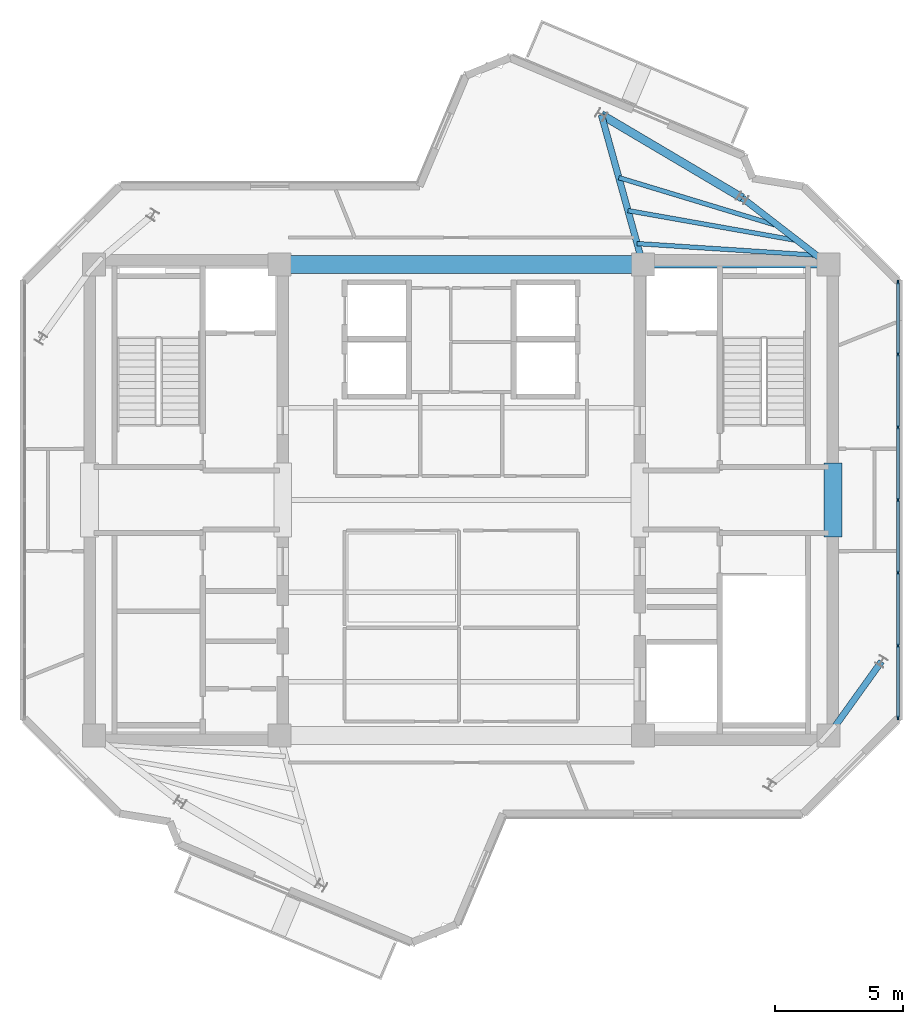
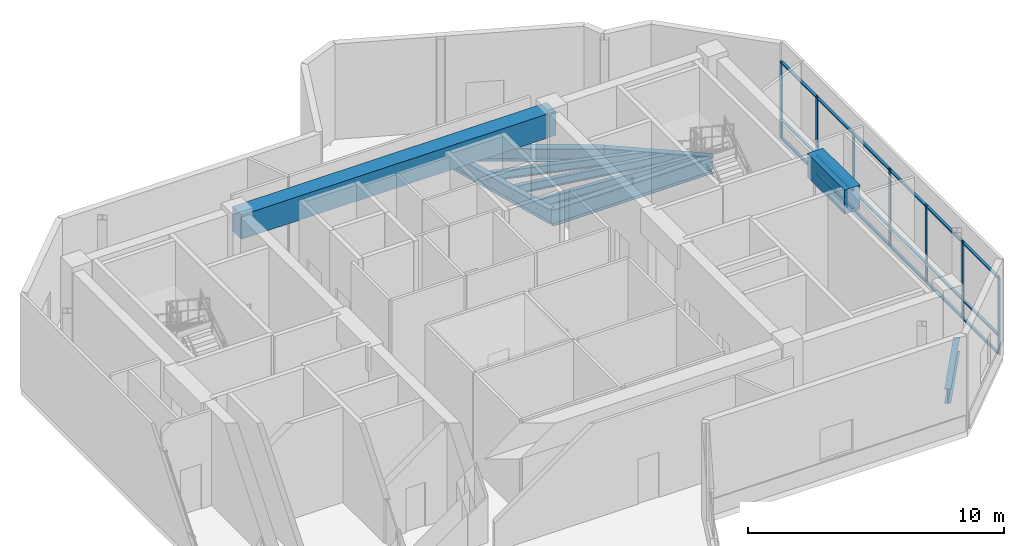
# One storey, part 4 of 11: 25 members, 10 beams, 1 element without a shape of its own.
"""IFC4 building model written with IfcOpenShell, lengths in metres."""

from ifc_helpers import new_model, si_unit, direction, frame, origin, origin_2d, place, context, subcontext, project, spatial, rectangle, i_section, extrude, source, transform, mapped, material, layer, layer_set, material_profile, profile_set, type_object, element, aggregate, save


model = new_model("IFC4")

# Units and contexts
model_context = context("Model", 3, precision=1e-05, world=origin(), true_north=direction((0.0, 1.0)))
body_context = subcontext(model_context, "Body", "Model", "MODEL_VIEW")
ifc_project = project(units=[si_unit("LENGTHUNIT", "METRE"), si_unit("AREAUNIT", "SQUARE_METRE"), si_unit("VOLUMEUNIT", "CUBIC_METRE"), si_unit("PLANEANGLEUNIT", "RADIAN"), si_unit("MASSUNIT", "GRAM", prefix="KILO")], contexts=[model_context])

# Site, building, storey
site_placement = place(None, origin())
site = spatial("IfcSite", under=ifc_project, at=site_placement, CompositionType="ELEMENT")
building_placement = place(site_placement, origin())
building = spatial("IfcBuilding", under=site, at=building_placement, Name="Zahravan Cultural Tower", CompositionType="ELEMENT")
storey_placement = place(building_placement, frame((0.0, 0.0, 365.85009765625)))
storey = spatial("IfcBuildingStorey", under=building, at=storey_placement, Name="L89", CompositionType="ELEMENT", Elevation=365.85009765625)

# Beams
ifc_material_1 = material(Name="Concrete C50/60", Category="concrete")
ifc_material_profile_1 = material_profile(ifc_material_1, rectangle(XDim=0.699951171875, YDim=1.14990234375, at=origin_2d()), Name="RC700X1150")
ifc_profile_set_1 = profile_set([ifc_material_profile_1], Name="Concrete C50/60")
beam_type_1 = type_object("IfcBeamType", Name="BM-LN-RC700X1150", PredefinedType="LINTEL", material=ifc_profile_set_1)
shared_shape_1 = source(origin(), body_context, "Body", "SweptSolid", [
    extrude(rectangle(XDim=0.699951171875, YDim=1.14990234375, at=origin_2d()), origin(), (0.0, 0.0, 1.0), 14.2001953125),
])
beam_1_placement = place(storey_placement, frame((28.89990234375, 36.199951171875, 3.974853515625), z_axis=(1.0, 0.0, 0.0), x_axis=(0.0, 1.0, 0.0)))
element("IfcBeam", 1, at=beam_1_placement, inside=storey, type_object=beam_type_1, Name="L89 Beam LN-L89-N", PredefinedType="LINTEL", context=body_context, shape_type="MappedRepresentation", body=[
    mapped(shared_shape_1, transform((0.0, 0.0, 0.0), x_axis=(1.0, 0.0, 0.0), y_axis=(0.0, 1.0, 0.0), z_axis=(0.0, 0.0, 1.0), scale=1.0)),
])
shared_shape_2 = source(origin(), body_context, "Body", "SweptSolid", [
    extrude(rectangle(XDim=0.699951171875, YDim=1.14990234375, at=origin_2d()), origin(), (0.0, 0.0, 1.0), 2.89990234375),
])
beam_2_placement = place(storey_placement, frame((50.52490234375, 25.550048828125, 3.974853515625), z_axis=(0.0, 1.0, 0.0), x_axis=(-1.0, 0.0, 0.0)))
element("IfcBeam", 2, at=beam_2_placement, inside=storey, type_object=beam_type_1, Name="L89 Beam LN-L89-PEE", PredefinedType="LINTEL", context=body_context, shape_type="MappedRepresentation", body=[
    mapped(shared_shape_2, transform((0.0, 0.0, 0.0), x_axis=(1.0, 0.0, 0.0), y_axis=(0.0, 1.0, 0.0), z_axis=(0.0, 0.0, 1.0), scale=1.0)),
])
ifc_material_2 = material(Name="Steel ASTM A992 Grade 50", Category="steel")
ifc_material_profile_2 = material_profile(ifc_material_2, i_section(OverallWidth=0.26611328125, OverallDepth=0.780029296875, WebThickness=0.0166015625, FlangeThickness=0.030029296875, FilletRadius=0.01904296875, at=origin_2d()), Name="W30X148")
ifc_profile_set_2 = profile_set([ifc_material_profile_2], Name="Steel ASTM A992 Grade 50")
beam_type_2 = type_object("IfcBeamType", Name="BM-G-W30X148", PredefinedType="BEAM", material=ifc_profile_set_2)
shared_shape_3 = source(origin(), body_context, "Body", "SweptSolid", [
    extrude(i_section(OverallWidth=0.26611328125, OverallDepth=0.780029296875, WebThickness=0.0166015625, FlangeThickness=0.030029296875, FilletRadius=0.01904296875, at=origin_2d()), origin(), (0.0, 0.0, 1.0), 7.25),
])
beam_3_placement = place(storey_placement, frame((43.10009765625, 36.199951171875, -0.690185546875), z_axis=(1.0, 0.0, 0.0), x_axis=(0.0, 1.0, 0.0)))
element("IfcBeam", 3, at=beam_3_placement, inside=storey, type_object=beam_type_2, Name="L89 Beam BG-L89-05", PredefinedType="BEAM", context=body_context, shape_type="MappedRepresentation", body=[
    mapped(shared_shape_3, transform((0.0, 0.0, 0.0), x_axis=(1.0, 0.0, 0.0), y_axis=(0.0, 1.0, 0.0), z_axis=(0.0, 0.0, 1.0), scale=1.0)),
])
ifc_material_profile_3 = material_profile(ifc_material_2, i_section(OverallWidth=0.326904296875, OverallDepth=0.6220703125, WebThickness=0.015380859375, FlangeThickness=0.0244140625, FilletRadius=0.014892578125, at=origin_2d()), Name="W24X131")
ifc_profile_set_3 = profile_set([ifc_material_profile_3], Name="Steel ASTM A992 Grade 50")
beam_type_3 = type_object("IfcBeamType", Name="BM-SP-W24X131", PredefinedType="SPANDREL", material=ifc_profile_set_3)
shared_shape_4 = source(origin(), body_context, "Body", "SweptSolid", [
    extrude(i_section(OverallWidth=0.326904296875, OverallDepth=0.6220703125, WebThickness=0.015380859375, FlangeThickness=0.0244140625, FilletRadius=0.014892578125, at=origin_2d()), origin(), (0.0, 0.0, 1.0), 6.400634765625),
])
beam_4_placement = place(storey_placement, frame((46.98388671875, 38.7998046875, -0.611083984375), z_axis=(-0.860706991833, 0.509100652337, 0.0), x_axis=(-0.509100652337, -0.860706991833, 0.0)))
element("IfcBeam", 4, at=beam_4_placement, inside=storey, type_object=beam_type_3, Name="L89 Beam SP-L89-17", PredefinedType="SPANDREL", context=body_context, shape_type="MappedRepresentation", body=[
    mapped(shared_shape_4, transform((0.0, 0.0, 0.0), x_axis=(1.0, 0.0, 0.0), y_axis=(0.0, 1.0, 0.0), z_axis=(0.0, 0.0, 1.0), scale=1.0)),
])
ifc_material_profile_4 = material_profile(ifc_material_2, i_section(OverallWidth=0.177978515625, OverallDepth=0.406005859375, WebThickness=0.0078125, FlangeThickness=0.0126953125, FilletRadius=0.011962890625, at=origin_2d()), Name="W16X40")
ifc_profile_set_4 = profile_set([ifc_material_profile_4], Name="Steel ASTM A992 Grade 50")
beam_type_4 = type_object("IfcBeamType", Name="BM-J-W16X40", PredefinedType="JOIST", material=ifc_profile_set_4)
shared_shape_5 = source(origin(), body_context, "Body", "SweptSolid", [
    extrude(i_section(OverallWidth=0.177978515625, OverallDepth=0.406005859375, WebThickness=0.0078125, FlangeThickness=0.0126953125, FilletRadius=0.011962890625, at=origin_2d()), origin(), (0.0, 0.0, 1.0), 7.02099609375),
])
beam_5_placement = place(storey_placement, frame((49.878662109375, 36.56396484375, -0.503173828125), z_axis=(-0.99788584579, 0.064991066863, 0.0), x_axis=(-0.064991066863, -0.99788584579, 0.0)))
element("IfcBeam", 5, at=beam_5_placement, inside=storey, type_object=beam_type_4, Name="L89 Beam BJ-L89-40", PredefinedType="JOIST", context=body_context, shape_type="MappedRepresentation", body=[
    mapped(shared_shape_5, transform((0.0, 0.0, 0.0), x_axis=(1.0, 0.0, 0.0), y_axis=(0.0, 1.0, 0.0), z_axis=(0.0, 0.0, 1.0), scale=1.0)),
])
shared_shape_6 = source(origin(), body_context, "Body", "SweptSolid", [
    extrude(i_section(OverallWidth=0.177978515625, OverallDepth=0.406005859375, WebThickness=0.0078125, FlangeThickness=0.0126953125, FilletRadius=0.011962890625, at=origin_2d()), origin(), (0.0, 0.0, 1.0), 6.726318359375),
])
beam_6_placement = place(storey_placement, frame((49.13818359375, 37.135986328125, -0.503173828125), z_axis=(-0.98467447748, 0.17440233198, 0.0), x_axis=(-0.17440233198, -0.98467447748, 0.0)))
element("IfcBeam", 6, at=beam_6_placement, inside=storey, type_object=beam_type_4, Name="L89 Beam BJ-L89-42", PredefinedType="JOIST", context=body_context, shape_type="MappedRepresentation", body=[
    mapped(shared_shape_6, transform((0.0, 0.0, 0.0), x_axis=(1.0, 0.0, 0.0), y_axis=(0.0, 1.0, 0.0), z_axis=(0.0, 0.0, 1.0), scale=1.0)),
])
shared_shape_7 = source(origin(), body_context, "Body", "SweptSolid", [
    extrude(i_section(OverallWidth=0.177978515625, OverallDepth=0.406005859375, WebThickness=0.0078125, FlangeThickness=0.0126953125, FilletRadius=0.011962890625, at=origin_2d()), origin(), (0.0, 0.0, 1.0), 6.520263671875),
])
beam_7_placement = place(storey_placement, frame((48.397705078125, 37.707763671875, -0.503173828125), z_axis=(-0.957060297679, 0.289888921151, 0.0), x_axis=(-0.289888921151, -0.957060297679, 0.0)))
element("IfcBeam", 7, at=beam_7_placement, inside=storey, type_object=beam_type_4, Name="L89 Beam BJ-L89-44", PredefinedType="JOIST", context=body_context, shape_type="MappedRepresentation", body=[
    mapped(shared_shape_7, transform((0.0, 0.0, 0.0), x_axis=(1.0, 0.0, 0.0), y_axis=(0.0, 1.0, 0.0), z_axis=(0.0, 0.0, 1.0), scale=1.0)),
])
ifc_material_profile_5 = material_profile(ifc_material_2, i_section(OverallWidth=0.25390625, OverallDepth=0.68798828125, WebThickness=0.01318359375, FlangeThickness=0.02099609375, FilletRadius=0.01806640625, at=origin_2d()), Name="W27X102")
ifc_profile_set_5 = profile_set([ifc_material_profile_5], Name="Steel ASTM A992 Grade 50")
beam_type_5 = type_object("IfcBeamType", Name="BM-G-W27X102", PredefinedType="BEAM", material=ifc_profile_set_5)
shared_shape_8 = source(origin(), body_context, "Body", "SweptSolid", [
    extrude(i_section(OverallWidth=0.25390625, OverallDepth=0.68798828125, WebThickness=0.01318359375, FlangeThickness=0.02099609375, FilletRadius=0.01806640625, at=origin_2d()), origin(), (0.0, 0.0, 1.0), 4.25341796875),
])
beam_8_placement = place(storey_placement, frame((50.35009765625, 36.199951171875, -0.64404296875), z_axis=(-0.791433936253, 0.611254713313, 0.0), x_axis=(-0.611254713313, -0.791433936253, 0.0)))
element("IfcBeam", 8, at=beam_8_placement, inside=storey, type_object=beam_type_5, Name="L89 Beam BG-L89-11", PredefinedType="BEAM", context=body_context, shape_type="MappedRepresentation", body=[
    mapped(shared_shape_8, transform((0.0, 0.0, 0.0), x_axis=(1.0, 0.0, 0.0), y_axis=(0.0, 1.0, 0.0), z_axis=(0.0, 0.0, 1.0), scale=1.0)),
])
shared_shape_9 = source(origin(), body_context, "Body", "SweptSolid", [
    extrude(i_section(OverallWidth=0.25390625, OverallDepth=0.68798828125, WebThickness=0.01318359375, FlangeThickness=0.02099609375, FilletRadius=0.01806640625, at=origin_2d()), origin(), (0.0, 0.0, 1.0), 6.07958984375),
])
beam_9_placement = place(storey_placement, frame((43.10009765625, 36.199951171875, -0.64404296875), z_axis=(-0.267324894686, 0.963606455292, 0.0), x_axis=(-0.963606455292, -0.267324894686, 0.0)))
element("IfcBeam", 9, at=beam_9_placement, inside=storey, type_object=beam_type_5, Name="L89 Beam BG-L89-12", PredefinedType="BEAM", context=body_context, shape_type="MappedRepresentation", body=[
    mapped(shared_shape_9, transform((0.0, 0.0, 0.0), x_axis=(1.0, 0.0, 0.0), y_axis=(0.0, 1.0, 0.0), z_axis=(0.0, 0.0, 1.0), scale=1.0)),
])
shared_shape_10 = source(origin(), body_context, "Body", "SweptSolid", [
    extrude(i_section(OverallWidth=0.25390625, OverallDepth=0.68798828125, WebThickness=0.01318359375, FlangeThickness=0.02099609375, FilletRadius=0.01806640625, at=origin_2d()), origin(), (0.0, 0.0, 1.0), 3.5556640625),
])
beam_10_placement = place(storey_placement, frame((50.35009765625, 17.800048828125, -0.64404296875), z_axis=(0.58288028137, 0.812558045674, 0.0), x_axis=(-0.812558045674, 0.58288028137, 0.0)))
element("IfcBeam", 10, at=beam_10_placement, inside=storey, type_object=beam_type_5, Name="L89 Beam BG-L89-10", PredefinedType="BEAM", context=body_context, shape_type="MappedRepresentation", body=[
    mapped(shared_shape_10, transform((0.0, 0.0, 0.0), x_axis=(1.0, 0.0, 0.0), y_axis=(0.0, 1.0, 0.0), z_axis=(0.0, 0.0, 1.0), scale=1.0)),
])

# Curtain wall, members
ifc_material_3 = material(Name="Anodised bronze-aluminium mullion", Category="aluminium")
ifc_layer = layer(ifc_material_3, 0.14990234375)
ifc_layer_set = layer_set([ifc_layer], Name="Anodised bronze-aluminium mullion")
curtain_wall_type = type_object("IfcCurtainWallType", Name="CW-SYS-6", PredefinedType="USERDEFINED", material=ifc_layer_set)
curtain_wall_placement = place(storey_placement, origin())
curtain_wall = element("IfcCurtainWall", 11, at=curtain_wall_placement, inside=storey, type_object=curtain_wall_type, Name="L89 Recessed Curtain Wall CW-6.1", ObjectType="OBSERVATORY LANTERN", PredefinedType="USERDEFINED")
ifc_material_profile_6 = material_profile(ifc_material_3, rectangle(XDim=0.06005859375, YDim=0.14990234375, at=origin_2d()), Name="AL-M60X150")
ifc_profile_set_6 = profile_set([ifc_material_profile_6], Name="Anodised bronze-aluminium mullion")
member_type_1 = type_object("IfcMemberType", Name="CWM-CW-6", PredefinedType="MULLION", material=ifc_profile_set_6)
shared_shape_11 = source(origin(), body_context, "Body", "SweptSolid", [
    extrude(rectangle(XDim=0.06005859375, YDim=0.14990234375, at=origin_2d()), origin(), (0.0, 0.0, 1.0), 3.669921875),
])
member_1_placement = place(storey_placement, frame((53.06005859375, 35.511962890625, 0.0), z_axis=(0.0, 0.0, 1.0), x_axis=(1.0, 0.0, 0.0)))
member_1 = element("IfcMember", 12, at=member_1_placement, type_object=member_type_1, Name="CW-6 mullion 1", PredefinedType="MULLION", context=body_context, shape_type="MappedRepresentation", body=[
    mapped(shared_shape_11, transform((0.0, 0.0, 0.0), x_axis=(1.0, 0.0, 0.0), y_axis=(0.0, 1.0, 0.0), z_axis=(0.0, 0.0, 1.0), scale=1.0)),
])
member_2_placement = place(storey_placement, frame((53.06005859375, 32.694580078125, 0.0), z_axis=(0.0, 0.0, 1.0), x_axis=(1.0, 0.0, 0.0)))
member_2 = element("IfcMember", 13, at=member_2_placement, type_object=member_type_1, Name="CW-6 mullion 2", PredefinedType="MULLION", context=body_context, shape_type="MappedRepresentation", body=[
    mapped(shared_shape_11, transform((0.0, 0.0, 0.0), x_axis=(1.0, 0.0, 0.0), y_axis=(0.0, 1.0, 0.0), z_axis=(0.0, 0.0, 1.0), scale=1.0)),
])
member_3_placement = place(storey_placement, frame((53.06005859375, 29.847412109375, 0.0), z_axis=(0.0, 0.0, 1.0), x_axis=(1.0, 0.0, 0.0)))
member_3 = element("IfcMember", 14, at=member_3_placement, type_object=member_type_1, Name="CW-6 mullion 3", PredefinedType="MULLION", context=body_context, shape_type="MappedRepresentation", body=[
    mapped(shared_shape_11, transform((0.0, 0.0, 0.0), x_axis=(1.0, 0.0, 0.0), y_axis=(0.0, 1.0, 0.0), z_axis=(0.0, 0.0, 1.0), scale=1.0)),
])
member_4_placement = place(storey_placement, frame((53.06005859375, 27.0, 0.0), z_axis=(0.0, 0.0, 1.0), x_axis=(1.0, 0.0, 0.0)))
member_4 = element("IfcMember", 15, at=member_4_placement, type_object=member_type_1, Name="CW-6 mullion 4", PredefinedType="MULLION", context=body_context, shape_type="MappedRepresentation", body=[
    mapped(shared_shape_11, transform((0.0, 0.0, 0.0), x_axis=(1.0, 0.0, 0.0), y_axis=(0.0, 1.0, 0.0), z_axis=(0.0, 0.0, 1.0), scale=1.0)),
])
member_5_placement = place(storey_placement, frame((53.06005859375, 24.152587890625, 0.0), z_axis=(0.0, 0.0, 1.0), x_axis=(1.0, 0.0, 0.0)))
member_5 = element("IfcMember", 16, at=member_5_placement, type_object=member_type_1, Name="CW-6 mullion 5", PredefinedType="MULLION", context=body_context, shape_type="MappedRepresentation", body=[
    mapped(shared_shape_11, transform((0.0, 0.0, 0.0), x_axis=(1.0, 0.0, 0.0), y_axis=(0.0, 1.0, 0.0), z_axis=(0.0, 0.0, 1.0), scale=1.0)),
])
member_6_placement = place(storey_placement, frame((53.06005859375, 21.305419921875, 0.0), z_axis=(0.0, 0.0, 1.0), x_axis=(1.0, 0.0, 0.0)))
member_6 = element("IfcMember", 17, at=member_6_placement, type_object=member_type_1, Name="CW-6 mullion 6", PredefinedType="MULLION", context=body_context, shape_type="MappedRepresentation", body=[
    mapped(shared_shape_11, transform((0.0, 0.0, 0.0), x_axis=(1.0, 0.0, 0.0), y_axis=(0.0, 1.0, 0.0), z_axis=(0.0, 0.0, 1.0), scale=1.0)),
])
member_7_placement = place(storey_placement, frame((53.06005859375, 18.488037109375, 0.0), z_axis=(0.0, 0.0, 1.0), x_axis=(1.0, 0.0, 0.0)))
member_7 = element("IfcMember", 18, at=member_7_placement, type_object=member_type_1, Name="CW-6 mullion 7", PredefinedType="MULLION", context=body_context, shape_type="MappedRepresentation", body=[
    mapped(shared_shape_11, transform((0.0, 0.0, 0.0), x_axis=(1.0, 0.0, 0.0), y_axis=(0.0, 1.0, 0.0), z_axis=(0.0, 0.0, 1.0), scale=1.0)),
])
ifc_material_profile_7 = material_profile(ifc_material_3, rectangle(XDim=0.1201171875, YDim=0.06005859375, at=origin_2d()), Name="AL-T60X120")
ifc_profile_set_7 = profile_set([ifc_material_profile_7], Name="Anodised bronze-aluminium mullion")
member_type_2 = type_object("IfcMemberType", Name="CWT-CW-6", PredefinedType="USERDEFINED", material=ifc_profile_set_7)
shared_shape_12 = source(origin(), body_context, "Body", "SweptSolid", [
    extrude(rectangle(XDim=0.1201171875, YDim=0.06005859375, at=origin_2d()), origin(), (0.0, 0.0, 1.0), 2.75732421875),
])
member_8_placement = place(storey_placement, frame((53.06005859375, 35.48193359375, 0.02978515625), z_axis=(0.0, -1.0, 0.0), x_axis=(1.0, 0.0, 0.0)))
member_8 = element("IfcMember", 19, at=member_8_placement, type_object=member_type_2, Name="CW-6 transom 1.1", ObjectType="TRANSOM", PredefinedType="USERDEFINED", context=body_context, shape_type="MappedRepresentation", body=[
    mapped(shared_shape_12, transform((0.0, 0.0, 0.0), x_axis=(1.0, 0.0, 0.0), y_axis=(0.0, 1.0, 0.0), z_axis=(0.0, 0.0, 1.0), scale=1.0)),
])
member_9_placement = place(storey_placement, frame((53.06005859375, 35.48193359375, 0.89990234375), z_axis=(0.0, -1.0, 0.0), x_axis=(1.0, 0.0, 0.0)))
member_9 = element("IfcMember", 20, at=member_9_placement, type_object=member_type_2, Name="CW-6 transom 1.2", ObjectType="TRANSOM", PredefinedType="USERDEFINED", context=body_context, shape_type="MappedRepresentation", body=[
    mapped(shared_shape_12, transform((0.0, 0.0, 0.0), x_axis=(1.0, 0.0, 0.0), y_axis=(0.0, 1.0, 0.0), z_axis=(0.0, 0.0, 1.0), scale=1.0)),
])
member_10_placement = place(storey_placement, frame((53.06005859375, 35.48193359375, 3.639892578125), z_axis=(0.0, -1.0, 0.0), x_axis=(1.0, 0.0, 0.0)))
member_10 = element("IfcMember", 21, at=member_10_placement, type_object=member_type_2, Name="CW-6 transom 1.3", ObjectType="TRANSOM", PredefinedType="USERDEFINED", context=body_context, shape_type="MappedRepresentation", body=[
    mapped(shared_shape_12, transform((0.0, 0.0, 0.0), x_axis=(1.0, 0.0, 0.0), y_axis=(0.0, 1.0, 0.0), z_axis=(0.0, 0.0, 1.0), scale=1.0)),
])
member_11_placement = place(storey_placement, frame((53.06005859375, 21.275390625, 0.02978515625), z_axis=(0.0, -1.0, 0.0), x_axis=(1.0, 0.0, 0.0)))
member_11 = element("IfcMember", 22, at=member_11_placement, type_object=member_type_2, Name="CW-6 transom 6.1", ObjectType="TRANSOM", PredefinedType="USERDEFINED", context=body_context, shape_type="MappedRepresentation", body=[
    mapped(shared_shape_12, transform((0.0, 0.0, 0.0), x_axis=(1.0, 0.0, 0.0), y_axis=(0.0, 1.0, 0.0), z_axis=(0.0, 0.0, 1.0), scale=1.0)),
])
member_12_placement = place(storey_placement, frame((53.06005859375, 21.275390625, 0.89990234375), z_axis=(0.0, -1.0, 0.0), x_axis=(1.0, 0.0, 0.0)))
member_12 = element("IfcMember", 23, at=member_12_placement, type_object=member_type_2, Name="CW-6 transom 6.2", ObjectType="TRANSOM", PredefinedType="USERDEFINED", context=body_context, shape_type="MappedRepresentation", body=[
    mapped(shared_shape_12, transform((0.0, 0.0, 0.0), x_axis=(1.0, 0.0, 0.0), y_axis=(0.0, 1.0, 0.0), z_axis=(0.0, 0.0, 1.0), scale=1.0)),
])
member_13_placement = place(storey_placement, frame((53.06005859375, 21.275390625, 3.639892578125), z_axis=(0.0, -1.0, 0.0), x_axis=(1.0, 0.0, 0.0)))
member_13 = element("IfcMember", 24, at=member_13_placement, type_object=member_type_2, Name="CW-6 transom 6.3", ObjectType="TRANSOM", PredefinedType="USERDEFINED", context=body_context, shape_type="MappedRepresentation", body=[
    mapped(shared_shape_12, transform((0.0, 0.0, 0.0), x_axis=(1.0, 0.0, 0.0), y_axis=(0.0, 1.0, 0.0), z_axis=(0.0, 0.0, 1.0), scale=1.0)),
])
shared_shape_13 = source(origin(), body_context, "Body", "SweptSolid", [
    extrude(rectangle(XDim=0.1201171875, YDim=0.06005859375, at=origin_2d()), origin(), (0.0, 0.0, 1.0), 2.787109375),
])
member_14_placement = place(storey_placement, frame((53.06005859375, 32.66455078125, 0.02978515625), z_axis=(0.0, -1.0, 0.0), x_axis=(1.0, 0.0, 0.0)))
member_14 = element("IfcMember", 25, at=member_14_placement, type_object=member_type_2, Name="CW-6 transom 2.1", ObjectType="TRANSOM", PredefinedType="USERDEFINED", context=body_context, shape_type="MappedRepresentation", body=[
    mapped(shared_shape_13, transform((0.0, 0.0, 0.0), x_axis=(1.0, 0.0, 0.0), y_axis=(0.0, 1.0, 0.0), z_axis=(0.0, 0.0, 1.0), scale=1.0)),
])
member_15_placement = place(storey_placement, frame((53.06005859375, 32.66455078125, 0.89990234375), z_axis=(0.0, -1.0, 0.0), x_axis=(1.0, 0.0, 0.0)))
member_15 = element("IfcMember", 26, at=member_15_placement, type_object=member_type_2, Name="CW-6 transom 2.2", ObjectType="TRANSOM", PredefinedType="USERDEFINED", context=body_context, shape_type="MappedRepresentation", body=[
    mapped(shared_shape_13, transform((0.0, 0.0, 0.0), x_axis=(1.0, 0.0, 0.0), y_axis=(0.0, 1.0, 0.0), z_axis=(0.0, 0.0, 1.0), scale=1.0)),
])
member_16_placement = place(storey_placement, frame((53.06005859375, 32.66455078125, 3.639892578125), z_axis=(0.0, -1.0, 0.0), x_axis=(1.0, 0.0, 0.0)))
member_16 = element("IfcMember", 27, at=member_16_placement, type_object=member_type_2, Name="CW-6 transom 2.3", ObjectType="TRANSOM", PredefinedType="USERDEFINED", context=body_context, shape_type="MappedRepresentation", body=[
    mapped(shared_shape_13, transform((0.0, 0.0, 0.0), x_axis=(1.0, 0.0, 0.0), y_axis=(0.0, 1.0, 0.0), z_axis=(0.0, 0.0, 1.0), scale=1.0)),
])
member_17_placement = place(storey_placement, frame((53.06005859375, 24.12255859375, 0.02978515625), z_axis=(0.0, -1.0, 0.0), x_axis=(1.0, 0.0, 0.0)))
member_17 = element("IfcMember", 28, at=member_17_placement, type_object=member_type_2, Name="CW-6 transom 5.1", ObjectType="TRANSOM", PredefinedType="USERDEFINED", context=body_context, shape_type="MappedRepresentation", body=[
    mapped(shared_shape_13, transform((0.0, 0.0, 0.0), x_axis=(1.0, 0.0, 0.0), y_axis=(0.0, 1.0, 0.0), z_axis=(0.0, 0.0, 1.0), scale=1.0)),
])
member_18_placement = place(storey_placement, frame((53.06005859375, 24.12255859375, 0.89990234375), z_axis=(0.0, -1.0, 0.0), x_axis=(1.0, 0.0, 0.0)))
member_18 = element("IfcMember", 29, at=member_18_placement, type_object=member_type_2, Name="CW-6 transom 5.2", ObjectType="TRANSOM", PredefinedType="USERDEFINED", context=body_context, shape_type="MappedRepresentation", body=[
    mapped(shared_shape_13, transform((0.0, 0.0, 0.0), x_axis=(1.0, 0.0, 0.0), y_axis=(0.0, 1.0, 0.0), z_axis=(0.0, 0.0, 1.0), scale=1.0)),
])
member_19_placement = place(storey_placement, frame((53.06005859375, 24.12255859375, 3.639892578125), z_axis=(0.0, -1.0, 0.0), x_axis=(1.0, 0.0, 0.0)))
member_19 = element("IfcMember", 30, at=member_19_placement, type_object=member_type_2, Name="CW-6 transom 5.3", ObjectType="TRANSOM", PredefinedType="USERDEFINED", context=body_context, shape_type="MappedRepresentation", body=[
    mapped(shared_shape_13, transform((0.0, 0.0, 0.0), x_axis=(1.0, 0.0, 0.0), y_axis=(0.0, 1.0, 0.0), z_axis=(0.0, 0.0, 1.0), scale=1.0)),
])
shared_shape_14 = source(origin(), body_context, "Body", "SweptSolid", [
    extrude(rectangle(XDim=0.1201171875, YDim=0.06005859375, at=origin_2d()), origin(), (0.0, 0.0, 1.0), 2.787353515625),
])
member_20_placement = place(storey_placement, frame((53.06005859375, 29.8173828125, 0.02978515625), z_axis=(0.0, -1.0, 0.0), x_axis=(1.0, 0.0, 0.0)))
member_20 = element("IfcMember", 31, at=member_20_placement, type_object=member_type_2, Name="CW-6 transom 3.1", ObjectType="TRANSOM", PredefinedType="USERDEFINED", context=body_context, shape_type="MappedRepresentation", body=[
    mapped(shared_shape_14, transform((0.0, 0.0, 0.0), x_axis=(1.0, 0.0, 0.0), y_axis=(0.0, 1.0, 0.0), z_axis=(0.0, 0.0, 1.0), scale=1.0)),
])
member_21_placement = place(storey_placement, frame((53.06005859375, 29.8173828125, 0.89990234375), z_axis=(0.0, -1.0, 0.0), x_axis=(1.0, 0.0, 0.0)))
member_21 = element("IfcMember", 32, at=member_21_placement, type_object=member_type_2, Name="CW-6 transom 3.2", ObjectType="TRANSOM", PredefinedType="USERDEFINED", context=body_context, shape_type="MappedRepresentation", body=[
    mapped(shared_shape_14, transform((0.0, 0.0, 0.0), x_axis=(1.0, 0.0, 0.0), y_axis=(0.0, 1.0, 0.0), z_axis=(0.0, 0.0, 1.0), scale=1.0)),
])
member_22_placement = place(storey_placement, frame((53.06005859375, 29.8173828125, 3.639892578125), z_axis=(0.0, -1.0, 0.0), x_axis=(1.0, 0.0, 0.0)))
member_22 = element("IfcMember", 33, at=member_22_placement, type_object=member_type_2, Name="CW-6 transom 3.3", ObjectType="TRANSOM", PredefinedType="USERDEFINED", context=body_context, shape_type="MappedRepresentation", body=[
    mapped(shared_shape_14, transform((0.0, 0.0, 0.0), x_axis=(1.0, 0.0, 0.0), y_axis=(0.0, 1.0, 0.0), z_axis=(0.0, 0.0, 1.0), scale=1.0)),
])
member_23_placement = place(storey_placement, frame((53.06005859375, 26.969970703125, 0.02978515625), z_axis=(0.0, -1.0, 0.0), x_axis=(1.0, 0.0, 0.0)))
member_23 = element("IfcMember", 34, at=member_23_placement, type_object=member_type_2, Name="CW-6 transom 4.1", ObjectType="TRANSOM", PredefinedType="USERDEFINED", context=body_context, shape_type="MappedRepresentation", body=[
    mapped(shared_shape_14, transform((0.0, 0.0, 0.0), x_axis=(1.0, 0.0, 0.0), y_axis=(0.0, 1.0, 0.0), z_axis=(0.0, 0.0, 1.0), scale=1.0)),
])
member_24_placement = place(storey_placement, frame((53.06005859375, 26.969970703125, 0.89990234375), z_axis=(0.0, -1.0, 0.0), x_axis=(1.0, 0.0, 0.0)))
member_24 = element("IfcMember", 35, at=member_24_placement, type_object=member_type_2, Name="CW-6 transom 4.2", ObjectType="TRANSOM", PredefinedType="USERDEFINED", context=body_context, shape_type="MappedRepresentation", body=[
    mapped(shared_shape_14, transform((0.0, 0.0, 0.0), x_axis=(1.0, 0.0, 0.0), y_axis=(0.0, 1.0, 0.0), z_axis=(0.0, 0.0, 1.0), scale=1.0)),
])
member_25_placement = place(storey_placement, frame((53.06005859375, 26.969970703125, 3.639892578125), z_axis=(0.0, -1.0, 0.0), x_axis=(1.0, 0.0, 0.0)))
member_25 = element("IfcMember", 36, at=member_25_placement, type_object=member_type_2, Name="CW-6 transom 4.3", ObjectType="TRANSOM", PredefinedType="USERDEFINED", context=body_context, shape_type="MappedRepresentation", body=[
    mapped(shared_shape_14, transform((0.0, 0.0, 0.0), x_axis=(1.0, 0.0, 0.0), y_axis=(0.0, 1.0, 0.0), z_axis=(0.0, 0.0, 1.0), scale=1.0)),
])
aggregate(curtain_wall, [member_1, member_2, member_3, member_4, member_5, member_6, member_7, member_8, member_9, member_10, member_14, member_15, member_16, member_20, member_21, member_22, member_23, member_24, member_25, member_17, member_18, member_19, member_11, member_12, member_13])

save(model, "model.ifc")
